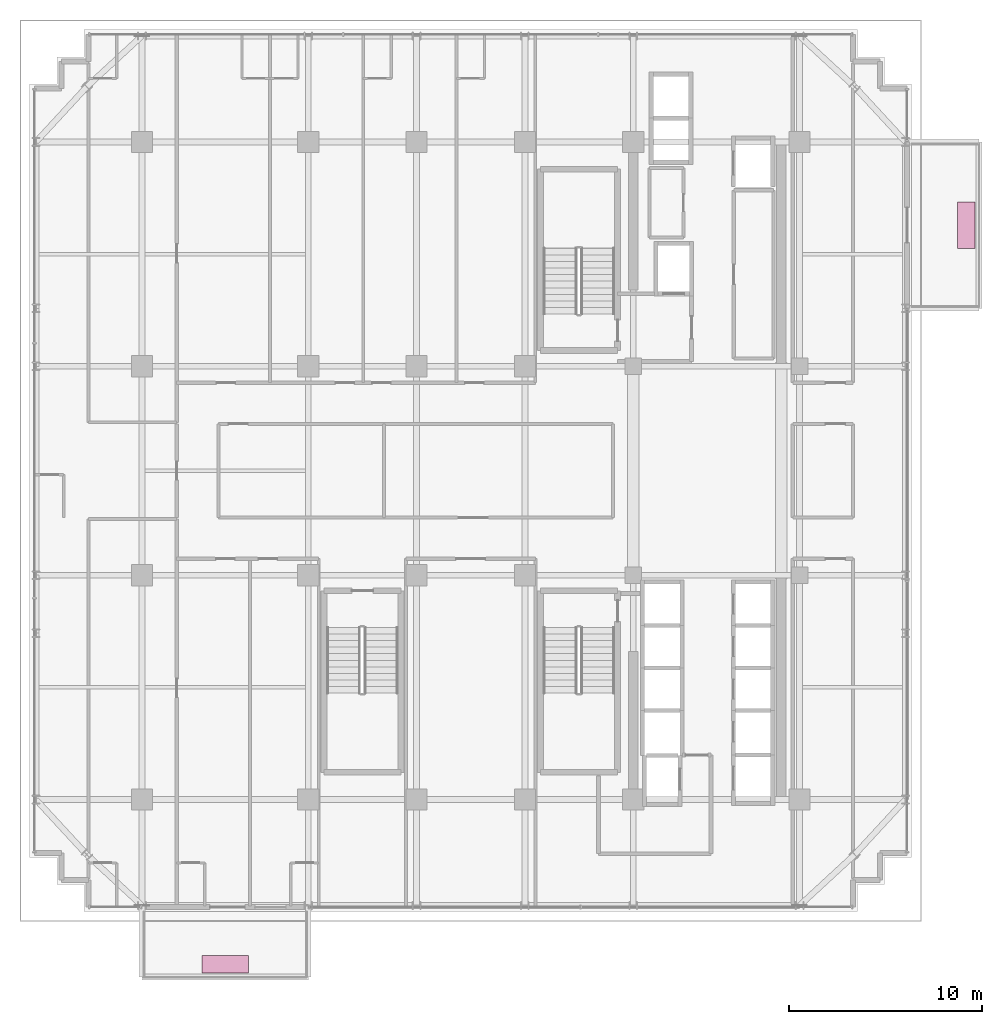
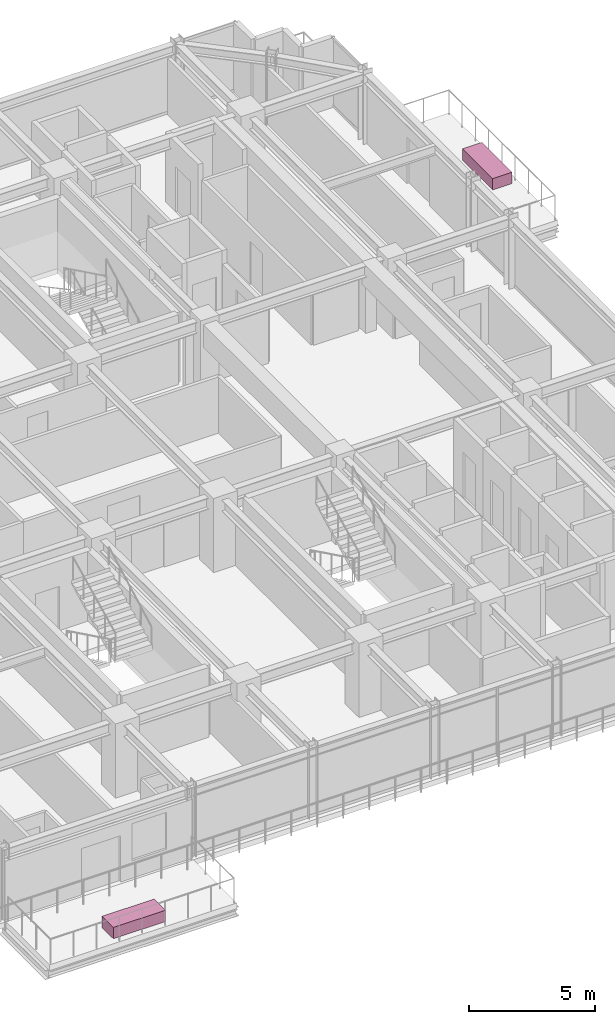
# One storey, part 33 of 33: 2 furnishings.
"""IFC4 building model written with IfcOpenShell, lengths in metres."""

from ifc_helpers import new_model, si_unit, direction, frame, origin, origin_2d, place, context, subcontext, project, spatial, rectangle, extrude, source, transform, mapped, material, type_object, element, save


model = new_model("IFC4")

# Units and contexts
model_context = context("Model", 3, precision=1e-05, world=origin(), true_north=direction((0.0, 1.0)))
body_context = subcontext(model_context, "Body", "Model", "MODEL_VIEW")
ifc_project = project(units=[si_unit("LENGTHUNIT", "METRE"), si_unit("AREAUNIT", "SQUARE_METRE"), si_unit("VOLUMEUNIT", "CUBIC_METRE"), si_unit("PLANEANGLEUNIT", "RADIAN"), si_unit("MASSUNIT", "GRAM", prefix="KILO")], contexts=[model_context])

# Site, building, storey
site_placement = place(None, origin())
site = spatial("IfcSite", under=ifc_project, at=site_placement, CompositionType="ELEMENT")
building_placement = place(site_placement, origin())
building = spatial("IfcBuilding", under=site, at=building_placement, Name="Nahalor Promenade Grand Hotel", CompositionType="ELEMENT")
storey_placement = place(building_placement, frame((0.0, 0.0, 149.0)))
storey = spatial("IfcBuildingStorey", under=building, at=storey_placement, Name="L37", CompositionType="ELEMENT", Elevation=149.0)

# Furnishings
ifc_material = material(Name="Vegetated Volcanic-Lapilli Tree Planter", Category="earth")
furnishing_element_type = type_object("IfcFurnishingElementType", Name="Planter-VerticalForest-Box", material=ifc_material)
shared_shape = source(origin(), body_context, "Body", "SweptSolid", [
    extrude(rectangle(XDim=2.39990234375, YDim=0.89990234375, at=origin_2d()), origin(), (0.0, 0.0, 1.0), 0.550048828125),
])
for number, where, z_axis, x_axis, name in (
    (1, (-12.699951171875, -25.510009765625, 0.0), (0.0, 0.0, 1.0), (1.0, 0.0, 0.0), "L37 Balcony Structural Tree Planter 1"),
    (2, (25.610107421875, 12.699951171875, 0.0), (0.0, 0.0, 1.0), (0.0, 1.0, 0.0), "L37 Balcony Structural Tree Planter 2"),
):
    element("IfcFurnishingElement", number, at=place(storey_placement, frame(where, z_axis=z_axis, x_axis=x_axis)), inside=storey, type_object=furnishing_element_type, Name=name, ObjectType="PLANTER", context=body_context, shape_type="MappedRepresentation", body=[
        mapped(shared_shape, transform((0.0, 0.0, 0.0), scale=1.0)),
    ])

save(model, "model.ifc")
